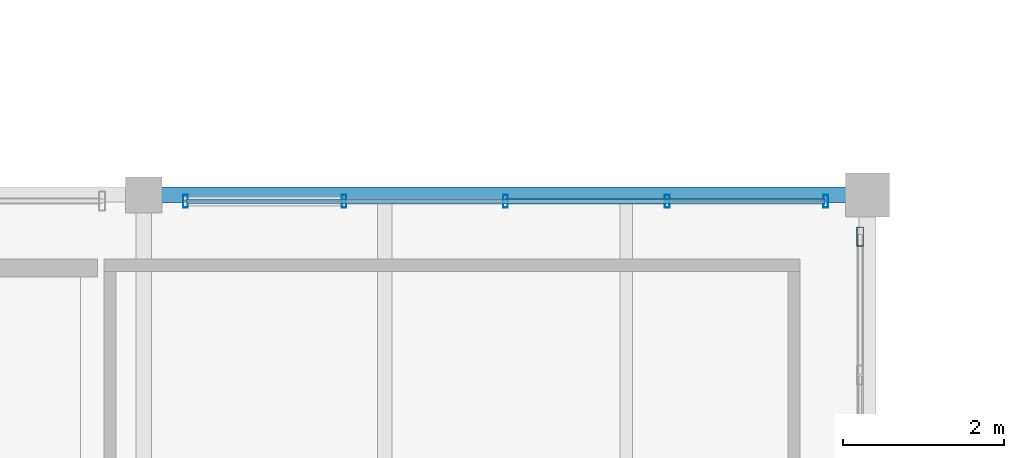
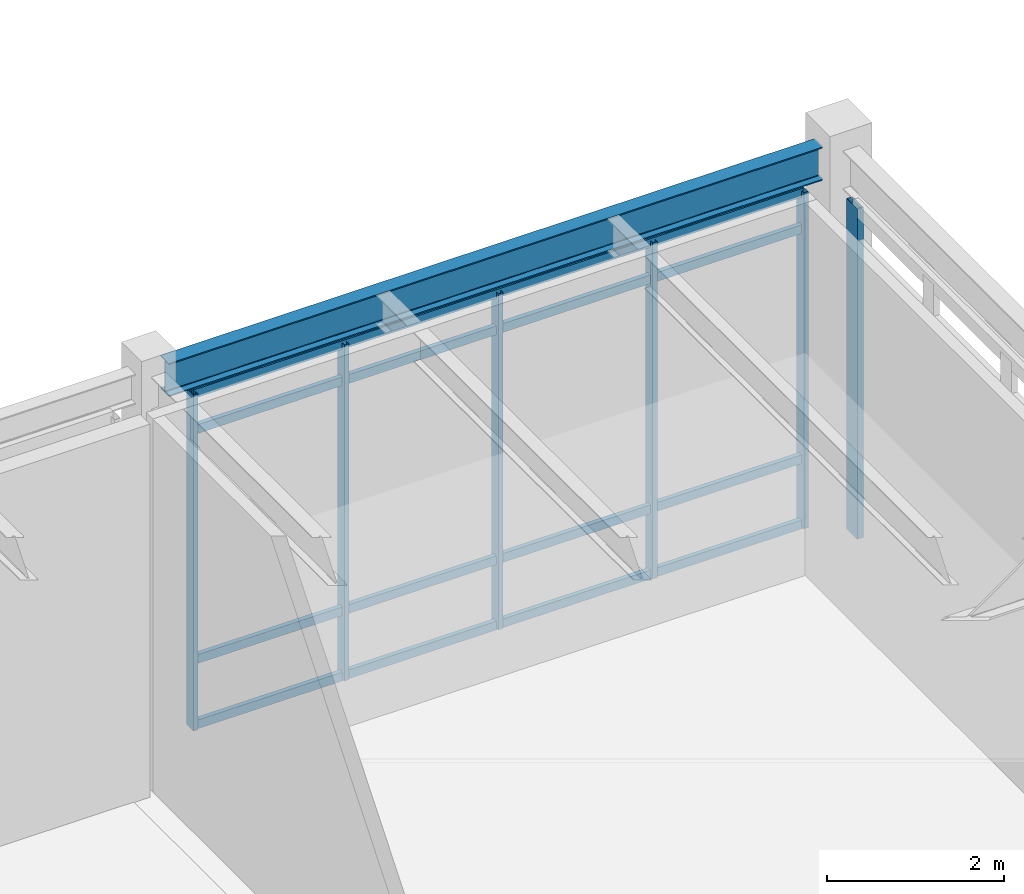
# One storey, part 143 of 203: 10 members, 1 beam, 2 elements without a shape of their own.
"""IFC4 building model written with IfcOpenShell, lengths in metres."""

import ifcopenshell
import ifcopenshell.guid

model = None  # the IFC model being written
_history = None  # IfcOwnerHistory: only IFC2X3 demands one
_inside = {}  # id of a spatial element -> (the spatial element, [elements in it])
_under = {}  # id of a project, library or spatial element -> (it, [spatial elements below it])
_declared = {}  # id of a project -> (the project, [libraries it declares])
_typed = {}  # id of a type object -> (the type object, [elements of that type])
_made_of = {}  # id of a material, layer set ... -> (it, [elements and type objects made of it])


def new_model(schema):
    """Start an empty IFC model of exactly this schema.

    Asked for "IFC4X3", IfcOpenShell would pick the latest addendum, in which some entities
    have other attributes; the version numbers below select the first issue.
    IFC2X3 requires an IfcOwnerHistory on every rooted entity: one is made here for all.
    """
    global model, _history
    if schema == "IFC4X3":
        model = ifcopenshell.file(schema_version=(4, 3, 0, 0))
    else:
        model = ifcopenshell.file(schema=schema)
    _inside.clear()
    _under.clear()
    _declared.clear()
    _typed.clear()
    _made_of.clear()
    _history = None
    if model.schema == "IFC2X3":
        org = make("IfcOrganization", Name="unknown")
        user = make(
            "IfcPersonAndOrganization",
            ThePerson=make("IfcPerson", FamilyName="unknown"),
            TheOrganization=org,
        )
        app = make(
            "IfcApplication",
            ApplicationDeveloper=org,
            Version="unknown",
            ApplicationFullName="unknown",
            ApplicationIdentifier="unknown",
        )
        _history = make(
            "IfcOwnerHistory",
            OwningUser=user,
            OwningApplication=app,
            ChangeAction="ADDED",
            CreationDate=0,
        )
    return model


def make(cls, **values):
    """One entity of the class cls with the attributes given. An attribute that is None is left unset."""
    return model.create_entity(
        cls, **{name: value for name, value in values.items() if value is not None}
    )


def rooted(cls, **values):
    """An entity with a GlobalId (a new one), such as an element, a storey or a relation."""
    return make(cls, GlobalId=ifcopenshell.guid.new(), OwnerHistory=_history, **values)


def si_unit(unit_type, name, prefix=None):
    """IfcSIUnit, for example si_unit("LENGTHUNIT", "METRE", prefix="MILLI")."""
    return make("IfcSIUnit", UnitType=unit_type, Prefix=prefix, Name=name)


def assignment(units):
    """IfcUnitAssignment: the units of a project."""
    return None if units is None else make("IfcUnitAssignment", Units=units)


def point(xyz):
    """IfcCartesianPoint."""
    return None if xyz is None else make("IfcCartesianPoint", Coordinates=xyz)


def direction(xyz):
    """IfcDirection."""
    return None if xyz is None else make("IfcDirection", DirectionRatios=xyz)


def frame(location, z_axis=None, x_axis=None):
    """IfcAxis2Placement3D, a coordinate frame: its origin and axes. An axis left out is left unset."""
    return make(
        "IfcAxis2Placement3D",
        Location=point(location),
        Axis=direction(z_axis),
        RefDirection=direction(x_axis),
    )


def frame_2d(location, x_axis=None):
    """IfcAxis2Placement2D, a coordinate frame in the plane: its origin and x axis."""
    return make(
        "IfcAxis2Placement2D", Location=point(location), RefDirection=direction(x_axis)
    )


def origin():
    """The frame at (0, 0, 0) with its axes left unset."""
    return frame((0.0, 0.0, 0.0))


def origin_2d():
    """The frame at (0, 0) in the plane with its x axis left unset."""
    return frame_2d((0.0, 0.0))


def place(relative_to, where):
    """IfcLocalPlacement: puts the frame where relative to a parent placement (None: the world)."""
    return make(
        "IfcLocalPlacement", PlacementRelTo=relative_to, RelativePlacement=where
    )


def context(
    kind, dimensions, precision=None, world=None, true_north=None, identifier=None
):
    """IfcGeometricRepresentationContext, for example the 3D "Model" context."""
    return make(
        "IfcGeometricRepresentationContext",
        ContextIdentifier=identifier,
        ContextType=kind,
        CoordinateSpaceDimension=dimensions,
        Precision=precision,
        WorldCoordinateSystem=world,
        TrueNorth=true_north,
    )


def subcontext(parent, identifier, kind, view, scale=None):
    """IfcGeometricRepresentationSubContext, for example "Body" below "Model"."""
    return make(
        "IfcGeometricRepresentationSubContext",
        ContextIdentifier=identifier,
        ContextType=kind,
        ParentContext=parent,
        TargetScale=scale,
        TargetView=view,
    )


def project(units=None, contexts=None):
    """IfcProject with its units and contexts."""
    return rooted(
        "IfcProject",
        Name="project",
        RepresentationContexts=contexts,
        UnitsInContext=assignment(units),
    )


def spatial(cls, under=None, at=None, **own):
    """A site, building, storey or space (cls), placed at a placement, below another one or the project."""
    s = rooted(cls, ObjectPlacement=at, **own)
    if under is not None:
        _under.setdefault(under.id(), (under, []))[1].append(s)
    return s


def profile(cls, at=None, kind="AREA", **sizes):
    """A parametric profile (cls). Its sizes go by their IFC names, for example OverallWidth=200.0."""
    return make(cls, ProfileType=kind, Position=at, **sizes)


def hollow_rectangle(**sizes):
    """IfcRectangleHollowProfileDef."""
    return profile("IfcRectangleHollowProfileDef", **sizes)


def i_section(**sizes):
    """IfcIShapeProfileDef."""
    return profile("IfcIShapeProfileDef", **sizes)


def extrude(swept, where, along, depth):
    """IfcExtrudedAreaSolid: the profile swept, set in the frame where, extruded along a direction by depth."""
    return make(
        "IfcExtrudedAreaSolid",
        SweptArea=swept,
        Position=where,
        ExtrudedDirection=direction(along),
        Depth=depth,
    )


def shape(context_of_items, identifier, shape_type, items):
    """IfcShapeRepresentation: the items that make up one representation, for example the "Body"."""
    return make(
        "IfcShapeRepresentation",
        ContextOfItems=context_of_items,
        RepresentationIdentifier=identifier,
        RepresentationType=shape_type,
        Items=items,
    )


def material(Name=None, Category=None):
    """IfcMaterial."""
    return make("IfcMaterial", Name=Name, Category=Category)


def material_profile(
    of_material, cross_section, Name=None, Category=None, Priority=None
):
    """IfcMaterialProfile: a cross section and its material."""
    return make(
        "IfcMaterialProfile",
        Name=Name,
        Material=of_material,
        Profile=cross_section,
        Priority=Priority,
        Category=Category,
    )


def profile_set(profiles, Name=None, composite=None):
    """IfcMaterialProfileSet."""
    return make(
        "IfcMaterialProfileSet",
        Name=Name,
        MaterialProfiles=profiles,
        CompositeProfile=composite,
    )


def made_of(thing, what):
    """Note that an element or type object is made of a material, layer set ...; save() writes the relation."""
    if what is not None:
        _made_of.setdefault(what.id(), (what, []))[1].append(thing)
    return thing


def type_object(cls, material=None, **own):
    """A type object (cls), such as IfcWallType, which elements share."""
    return made_of(rooted(cls, **own), material)


def element(
    cls,
    number,
    at=None,
    inside=None,
    cuts=None,
    type_object=None,
    material=None,
    context=None,
    identifier="Body",
    shape_type=None,
    held_by="IfcProductDefinitionShape",
    body=None,
    shapes=None,
    **own,
):
    """One element of the class cls, such as IfcWall. Its Tag is "e" and its number.

    at: its placement. inside: the storey or other place that contains it. cuts: it is an
    opening in that element (IfcRelVoidsElement). A single representation is given by context,
    identifier, shape_type and body (its items); several are given by shapes. held_by: the class
    of the entity that holds the representations. save() writes the other relations.
    """
    e = rooted(cls, Tag="e%d" % number, ObjectPlacement=at, **own)
    if body is not None:
        shapes = [shape(context, identifier, shape_type, body)]
    if shapes is not None:
        e.Representation = make(held_by, Representations=shapes)
    if inside is not None:
        _inside.setdefault(inside.id(), (inside, []))[1].append(e)
    if cuts is not None:
        rooted(
            "IfcRelVoidsElement", RelatingBuildingElement=cuts, RelatedOpeningElement=e
        )
    if type_object is not None:
        _typed.setdefault(type_object.id(), (type_object, []))[1].append(e)
    return made_of(e, material)


def aggregate(whole, parts):
    """IfcRelAggregates: a whole, such as a stair, and the parts it consists of."""
    return rooted("IfcRelAggregates", RelatingObject=whole, RelatedObjects=parts)


def save(model, path):
    """Write the relations noted so far, then the file.

    IfcRelAggregates (storeys below a building ...), IfcRelContainedInSpatialStructure (elements
    in a storey), IfcRelDefinesByType, IfcRelAssociatesMaterial and IfcRelDeclares: one each for
    every whole, place, type object, material and project.
    """
    for whole, parts in _under.values():
        aggregate(whole, parts)
    for where, things in _inside.values():
        rooted(
            "IfcRelContainedInSpatialStructure",
            RelatedElements=things,
            RelatingStructure=where,
        )
    for kind, things in _typed.values():
        rooted("IfcRelDefinesByType", RelatedObjects=things, RelatingType=kind)
    for what, things in _made_of.values():
        rooted("IfcRelAssociatesMaterial", RelatedObjects=things, RelatingMaterial=what)
    for by, libraries in _declared.values():
        rooted("IfcRelDeclares", RelatingContext=by, RelatedDefinitions=libraries)
    model.write(path)


model = new_model("IFC4")

# Units and contexts
model_context = context("Model", 3, precision=1e-05, world=origin(), true_north=direction((0.0, 1.0)))
body_context = subcontext(model_context, "Body", "Model", "MODEL_VIEW")
ifc_project = project(units=[si_unit("LENGTHUNIT", "METRE"), si_unit("AREAUNIT", "SQUARE_METRE"), si_unit("VOLUMEUNIT", "CUBIC_METRE"), si_unit("PLANEANGLEUNIT", "RADIAN"), si_unit("MASSUNIT", "GRAM", prefix="KILO"), si_unit("THERMODYNAMICTEMPERATUREUNIT", "KELVIN"), si_unit("POWERUNIT", "WATT")], contexts=[model_context])

# Site, building, storey
site_placement = place(None, origin())
site = spatial("IfcSite", under=ifc_project, at=site_placement, CompositionType="ELEMENT")
building_placement = place(site_placement, origin())
building = spatial("IfcBuilding", under=site, at=building_placement, Name="Tepalcoro Natatorium and Aquatics Centre", CompositionType="ELEMENT")
storey_placement = place(building_placement, origin())
storey = spatial("IfcBuildingStorey", under=building, at=storey_placement, Name="L00", CompositionType="ELEMENT", Elevation=0.0)

# Curtain wall, members
ifc_material_1 = material(Name="Bronze-Anodised Extruded Aluminium Alloy EN AW-6063 T6", Category="aluminium")
curtain_wall_type_1 = type_object("IfcCurtainWallType", Name="CW_V5_LOWER", PredefinedType="USERDEFINED", material=ifc_material_1)
curtain_wall_1_placement = place(storey_placement, origin())
curtain_wall_1 = element("IfcCurtainWall", 1, at=curtain_wall_1_placement, inside=storey, type_object=curtain_wall_type_1, Name="V4 L00 N Unitised Curtain Wall Bay 9", ObjectType="UNITISED STOREFRONT", PredefinedType="USERDEFINED")
ifc_material_profile_1 = material_profile(ifc_material_1, hollow_rectangle(XDim=0.06005859375, YDim=0.159912109375, WallThickness=0.00390625, at=origin_2d()), Name="AL60X160X4")
ifc_profile_set_1 = profile_set([ifc_material_profile_1], Name="Bronze-Anodised Extruded Aluminium Alloy EN AW-6063 T6")
member_type_1 = type_object("IfcMemberType", Name="CW_MUL_60x160", PredefinedType="MULLION", material=ifc_profile_set_1)
member_1_placement = place(storey_placement, frame((80.52001953125, 117.919921875, 0.02001953125), z_axis=(0.0, 0.0, 1.0), x_axis=(1.0, 0.0, 0.0)))
member_1 = element("IfcMember", 2, at=member_1_placement, type_object=member_type_1, Name="CW_V5_LOWER Curtain Wall Mullion", PredefinedType="MULLION", context=body_context, shape_type="SweptSolid", body=[
    extrude(hollow_rectangle(XDim=0.06005859375, YDim=0.159912109375, WallThickness=0.00390625, at=origin_2d()), origin(), (0.0, 0.0, 1.0), 4.6298828125),
])
member_2_placement = place(storey_placement, frame((82.489990234375, 117.919921875, 0.02001953125), z_axis=(0.0, 0.0, 1.0), x_axis=(1.0, 0.0, 0.0)))
member_2 = element("IfcMember", 3, at=member_2_placement, type_object=member_type_1, Name="CW_V5_LOWER Curtain Wall Mullion", PredefinedType="MULLION", context=body_context, shape_type="SweptSolid", body=[
    extrude(hollow_rectangle(XDim=0.06005859375, YDim=0.159912109375, WallThickness=0.00390625, at=origin_2d()), origin(), (0.0, 0.0, 1.0), 4.6298828125),
])
member_3_placement = place(storey_placement, frame((84.5, 117.919921875, 0.02001953125), z_axis=(0.0, 0.0, 1.0), x_axis=(1.0, 0.0, 0.0)))
member_3 = element("IfcMember", 4, at=member_3_placement, type_object=member_type_1, Name="CW_V5_LOWER Curtain Wall Mullion", PredefinedType="MULLION", context=body_context, shape_type="SweptSolid", body=[
    extrude(hollow_rectangle(XDim=0.06005859375, YDim=0.159912109375, WallThickness=0.00390625, at=origin_2d()), origin(), (0.0, 0.0, 1.0), 4.6298828125),
])
member_4_placement = place(storey_placement, frame((86.510009765625, 117.919921875, 0.02001953125), z_axis=(0.0, 0.0, 1.0), x_axis=(1.0, 0.0, 0.0)))
member_4 = element("IfcMember", 5, at=member_4_placement, type_object=member_type_1, Name="CW_V5_LOWER Curtain Wall Mullion", PredefinedType="MULLION", context=body_context, shape_type="SweptSolid", body=[
    extrude(hollow_rectangle(XDim=0.06005859375, YDim=0.159912109375, WallThickness=0.00390625, at=origin_2d()), origin(), (0.0, 0.0, 1.0), 4.6298828125),
])
member_5_placement = place(storey_placement, frame((88.47998046875, 117.919921875, 0.02001953125), z_axis=(0.0, 0.0, 1.0), x_axis=(1.0, 0.0, 0.0)))
member_5 = element("IfcMember", 6, at=member_5_placement, type_object=member_type_1, Name="CW_V5_LOWER Curtain Wall Mullion", PredefinedType="MULLION", context=body_context, shape_type="SweptSolid", body=[
    extrude(hollow_rectangle(XDim=0.06005859375, YDim=0.159912109375, WallThickness=0.00390625, at=origin_2d()), origin(), (0.0, 0.0, 1.0), 4.6298828125),
])

# Curtain wall, member
curtain_wall_type_2 = type_object("IfcCurtainWallType", Name="CW_V1_PLINTH", PredefinedType="USERDEFINED", material=ifc_material_1)
curtain_wall_2_placement = place(storey_placement, origin())
curtain_wall_2 = element("IfcCurtainWall", 7, at=curtain_wall_2_placement, inside=storey, type_object=curtain_wall_type_2, Name="V4 L00 E Unitised Curtain Wall Bay 4", ObjectType="UNITISED STOREFRONT", PredefinedType="USERDEFINED")
ifc_material_profile_2 = material_profile(ifc_material_1, hollow_rectangle(XDim=0.080078125, YDim=0.239990234375, WallThickness=0.0048828125, at=origin_2d()), Name="AL80X240X5")
ifc_profile_set_2 = profile_set([ifc_material_profile_2], Name="Bronze-Anodised Extruded Aluminium Alloy EN AW-6063 T6")
member_type_2 = type_object("IfcMemberType", Name="CW_MUL_80x240", PredefinedType="MULLION", material=ifc_profile_set_2)
member_6_placement = place(storey_placement, frame((88.909912109375, 117.47998046875, 0.02001953125), z_axis=(0.0, 0.0, 1.0), x_axis=(1.0, 0.0, 0.0)))
member_6 = element("IfcMember", 8, at=member_6_placement, type_object=member_type_2, Name="CW_V1_PLINTH Curtain Wall Mullion", PredefinedType="MULLION", context=body_context, shape_type="SweptSolid", body=[
    extrude(hollow_rectangle(XDim=0.080078125, YDim=0.239990234375, WallThickness=0.0048828125, at=origin_2d()), origin(), (0.0, 0.0, 1.0), 4.553955078125),
])
aggregate(curtain_wall_2, [member_6])

# Member
ifc_material_profile_3 = material_profile(ifc_material_1, hollow_rectangle(XDim=0.06005859375, YDim=0.1201171875, WallThickness=0.00390625, at=origin_2d()), Name="AL60X120X4")
ifc_profile_set_3 = profile_set([ifc_material_profile_3], Name="Bronze-Anodised Extruded Aluminium Alloy EN AW-6063 T6")
member_type_3 = type_object("IfcMemberType", Name="CW_TRN_60x120", PredefinedType="USERDEFINED", material=ifc_profile_set_3)
member_7_placement = place(storey_placement, frame((80.530029296875, 117.919921875, 0.050048828125), z_axis=(1.0, 0.0, 0.0), x_axis=(0.0, 1.0, 0.0)))
member_7 = element("IfcMember", 9, at=member_7_placement, type_object=member_type_3, Name="CW_V5_LOWER Curtain Wall Transom", ObjectType="TRANSOM", PredefinedType="USERDEFINED", context=body_context, shape_type="SweptSolid", body=[
    extrude(hollow_rectangle(XDim=0.06005859375, YDim=0.1201171875, WallThickness=0.00390625, at=origin_2d()), origin(), (0.0, 0.0, 1.0), 7.93994140625),
])

member_8_placement = place(storey_placement, frame((80.530029296875, 117.919921875, 0.949951171875), z_axis=(1.0, 0.0, 0.0), x_axis=(0.0, 1.0, 0.0)))
member_8 = element("IfcMember", 10, at=member_8_placement, type_object=member_type_3, Name="CW_V5_LOWER Curtain Wall Transom", ObjectType="TRANSOM", PredefinedType="USERDEFINED", context=body_context, shape_type="SweptSolid", body=[
    extrude(hollow_rectangle(XDim=0.06005859375, YDim=0.1201171875, WallThickness=0.00390625, at=origin_2d()), origin(), (0.0, 0.0, 1.0), 7.93994140625),
])

member_9_placement = place(storey_placement, frame((80.530029296875, 117.919921875, 4.1201171875), z_axis=(1.0, 0.0, 0.0), x_axis=(0.0, 1.0, 0.0)))
member_9 = element("IfcMember", 11, at=member_9_placement, type_object=member_type_3, Name="CW_V5_LOWER Curtain Wall Transom", ObjectType="TRANSOM", PredefinedType="USERDEFINED", context=body_context, shape_type="SweptSolid", body=[
    extrude(hollow_rectangle(XDim=0.06005859375, YDim=0.1201171875, WallThickness=0.00390625, at=origin_2d()), origin(), (0.0, 0.0, 1.0), 7.93994140625),
])

member_10_placement = place(storey_placement, frame((80.530029296875, 117.919921875, 4.6201171875), z_axis=(1.0, 0.0, 0.0), x_axis=(0.0, 1.0, 0.0)))
member_10 = element("IfcMember", 12, at=member_10_placement, type_object=member_type_3, Name="CW_V5_LOWER Curtain Wall Transom", ObjectType="TRANSOM", PredefinedType="USERDEFINED", context=body_context, shape_type="SweptSolid", body=[
    extrude(hollow_rectangle(XDim=0.06005859375, YDim=0.1201171875, WallThickness=0.00390625, at=origin_2d()), origin(), (0.0, 0.0, 1.0), 7.93994140625),
])

aggregate(curtain_wall_1, [member_1, member_2, member_3, member_4, member_5, member_7, member_8, member_9, member_10])

# Beam
ifc_material_2 = material(Name="Steel ASTM A992 Grade 50 (Fy 345 MPa)", Category="steel")
ifc_material_profile_4 = material_profile(ifc_material_2, i_section(OverallWidth=0.19091796875, OverallDepth=0.4599609375, WebThickness=0.010009765625, FlangeThickness=0.01611328125, FilletRadius=0.013916015625, at=origin_2d()), Name="W18X55")
ifc_profile_set_4 = profile_set([ifc_material_profile_4], Name="Steel ASTM A992 Grade 50 (Fy 345 MPa)")
beam_type = type_object("IfcBeamType", Name="SP_W18x55", PredefinedType="SPANDREL", material=ifc_profile_set_4)
beam_placement = place(storey_placement, frame((80.2099609375, 118.0, 4.9150390625), z_axis=(1.0, 0.0, 0.0), x_axis=(0.0, 1.0, 0.0)))
element("IfcBeam", 13, at=beam_placement, inside=storey, type_object=beam_type, Name="V4 L00 Grid Girder X", PredefinedType="SPANDREL", context=body_context, shape_type="SweptSolid", body=[
    extrude(i_section(OverallWidth=0.19091796875, OverallDepth=0.4599609375, WebThickness=0.010009765625, FlangeThickness=0.01611328125, FilletRadius=0.013916015625, at=origin_2d()), origin(), (0.0, 0.0, 1.0), 8.530029296875),
])

save(model, "model.ifc")
